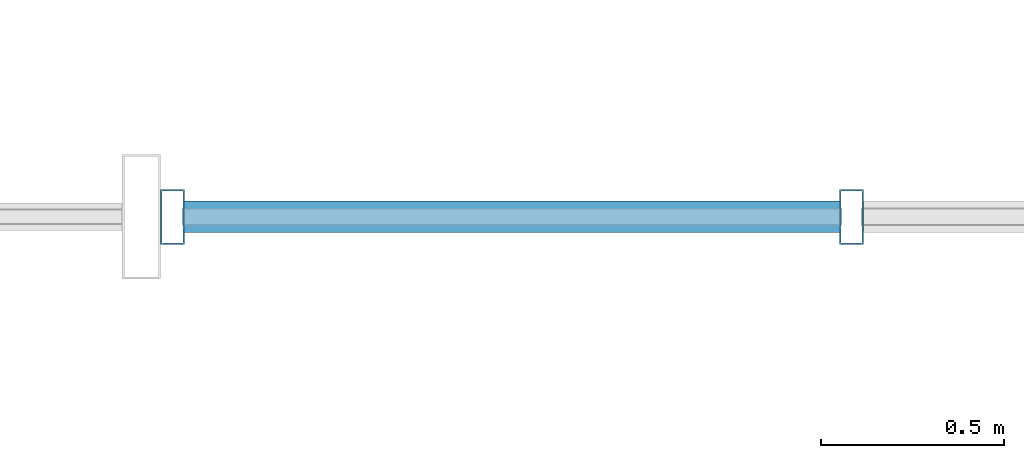
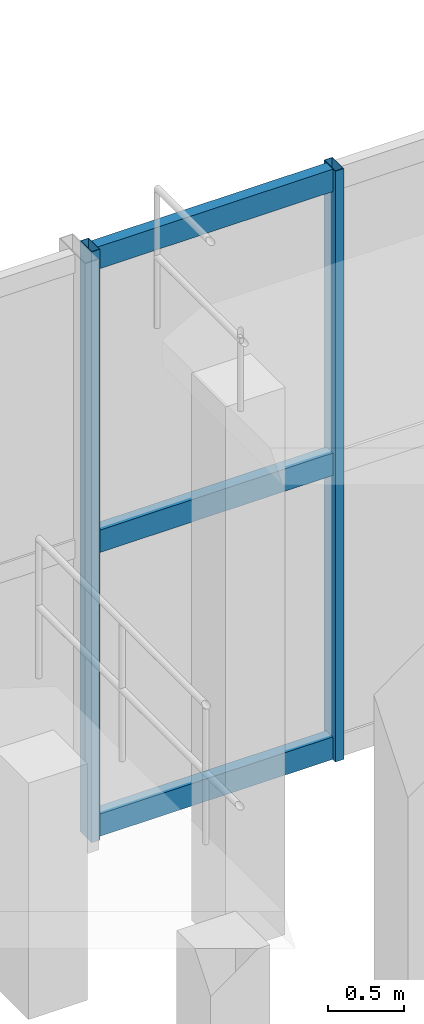
# One storey, part 64 of 106: 5 members, 1 element without a shape of its own.
"""IFC4 building model written with IfcOpenShell, lengths in metres."""

from ifc_helpers import new_model, si_unit, direction, frame, origin, origin_2d, place, context, subcontext, project, spatial, hollow_rectangle, extrude, material, layer, layer_set, material_profile, profile_set, type_object, element, aggregate, save


model = new_model("IFC4")

# Units and contexts
model_context = context("Model", 3, precision=1e-05, world=origin(), true_north=direction((0.0, 1.0)))
body_context = subcontext(model_context, "Body", "Model", "MODEL_VIEW")
ifc_project = project(units=[si_unit("LENGTHUNIT", "METRE"), si_unit("AREAUNIT", "SQUARE_METRE"), si_unit("VOLUMEUNIT", "CUBIC_METRE"), si_unit("PLANEANGLEUNIT", "RADIAN"), si_unit("MASSUNIT", "GRAM", prefix="KILO"), si_unit("POWERUNIT", "WATT"), si_unit("THERMODYNAMICTEMPERATUREUNIT", "KELVIN")], contexts=[model_context])

# Site, building, storey
site_placement = place(None, origin())
site = spatial("IfcSite", under=ifc_project, at=site_placement, CompositionType="ELEMENT")
building_placement = place(site_placement, origin())
building = spatial("IfcBuilding", under=site, at=building_placement, Name="Kelmbourne Parkland Aquatics Centre", CompositionType="ELEMENT")
storey_placement = place(building_placement, frame((0.0, 0.0, 5.39990234375)))
storey = spatial("IfcBuildingStorey", under=building, at=storey_placement, Name="L01", CompositionType="ELEMENT", Elevation=5.39990234375)

# Curtain wall, members
ifc_material = material(Name="Thermally broken anodised aluminium framing", Category="aluminium")
ifc_layer = layer(ifc_material, 0.179931640625)
ifc_layer_set = layer_set([ifc_layer], Name="Thermally broken anodised aluminium framing")
curtain_wall_type = type_object("IfcCurtainWallType", Name="CW-20", PredefinedType="NOTDEFINED", material=ifc_layer_set)
curtain_wall_placement = place(storey_placement, origin())
curtain_wall = element("IfcCurtainWall", 1, at=curtain_wall_placement, inside=storey, type_object=curtain_wall_type, Name="Wave-hall clerestory curtain wall CW-L01-140", PredefinedType="NOTDEFINED")
ifc_material_profile_1 = material_profile(ifc_material, hollow_rectangle(XDim=0.06494140625, YDim=0.14990234375, WallThickness=0.00390625, at=origin_2d()), Name="CW-M 65x150")
ifc_profile_set_1 = profile_set([ifc_material_profile_1], Name="Thermally broken anodised aluminium framing")
member_type_1 = type_object("IfcMemberType", Name="MB-MUL-1", PredefinedType="MULLION", material=ifc_profile_set_1)
member_1_placement = place(storey_placement, frame((158.032470703125, 114.800048828125, 0.0), z_axis=(0.0, 0.0, 1.0), x_axis=(1.0, 0.0, 0.0)))
member_1 = element("IfcMember", 2, at=member_1_placement, type_object=member_type_1, Name="CW-L01-140 mullion 0", PredefinedType="MULLION", context=body_context, shape_type="SweptSolid", body=[
    extrude(hollow_rectangle(XDim=0.06494140625, YDim=0.14990234375, WallThickness=0.00390625, at=origin_2d()), origin(), (0.0, 0.0, 1.0), 4.75),
])
member_2_placement = place(storey_placement, frame((159.88525390625, 114.800048828125, 0.0), z_axis=(0.0, 0.0, 1.0), x_axis=(1.0, 0.0, 0.0)))
member_2 = element("IfcMember", 3, at=member_2_placement, type_object=member_type_1, Name="CW-L01-140 mullion 1", PredefinedType="MULLION", context=body_context, shape_type="SweptSolid", body=[
    extrude(hollow_rectangle(XDim=0.06494140625, YDim=0.14990234375, WallThickness=0.00390625, at=origin_2d()), origin(), (0.0, 0.0, 1.0), 4.75),
])
ifc_material_profile_2 = material_profile(ifc_material, hollow_rectangle(XDim=0.0849609375, YDim=0.179931640625, WallThickness=0.00439453125, at=origin_2d()), Name="CW-T 85x180")
ifc_profile_set_2 = profile_set([ifc_material_profile_2], Name="Thermally broken anodised aluminium framing")
member_type_2 = type_object("IfcMemberType", Name="MB-TRN-3", PredefinedType="USERDEFINED", material=ifc_profile_set_2)
member_3_placement = place(storey_placement, frame((158.06103515625, 114.800048828125, 0.093017578125), z_axis=(1.0, 0.0, 0.0), x_axis=(0.0, 1.0, 0.0)))
member_3 = element("IfcMember", 4, at=member_3_placement, type_object=member_type_2, Name="CW-L01-140 transom 0-0", ObjectType="TRANSOM", PredefinedType="USERDEFINED", context=body_context, shape_type="SweptSolid", body=[
    extrude(hollow_rectangle(XDim=0.0849609375, YDim=0.179931640625, WallThickness=0.00439453125, at=origin_2d()), origin(), (0.0, 0.0, 1.0), 1.795654296875),
])
member_4_placement = place(storey_placement, frame((158.06103515625, 114.800048828125, 2.375), z_axis=(1.0, 0.0, 0.0), x_axis=(0.0, 1.0, 0.0)))
member_4 = element("IfcMember", 5, at=member_4_placement, type_object=member_type_2, Name="CW-L01-140 transom 1-0", ObjectType="TRANSOM", PredefinedType="USERDEFINED", context=body_context, shape_type="SweptSolid", body=[
    extrude(hollow_rectangle(XDim=0.0849609375, YDim=0.179931640625, WallThickness=0.00439453125, at=origin_2d()), origin(), (0.0, 0.0, 1.0), 1.795654296875),
])
member_5_placement = place(storey_placement, frame((158.06103515625, 114.800048828125, 4.656982421875), z_axis=(1.0, 0.0, 0.0), x_axis=(0.0, 1.0, 0.0)))
member_5 = element("IfcMember", 6, at=member_5_placement, type_object=member_type_2, Name="CW-L01-140 transom 2-0", ObjectType="TRANSOM", PredefinedType="USERDEFINED", context=body_context, shape_type="SweptSolid", body=[
    extrude(hollow_rectangle(XDim=0.0849609375, YDim=0.179931640625, WallThickness=0.00439453125, at=origin_2d()), origin(), (0.0, 0.0, 1.0), 1.795654296875),
])
aggregate(curtain_wall, [member_1, member_2, member_3, member_4, member_5])

save(model, "model.ifc")
